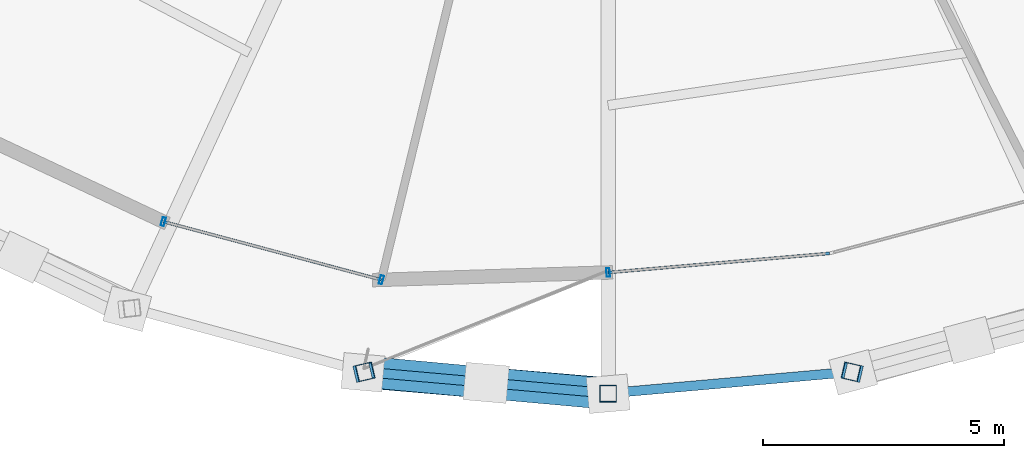
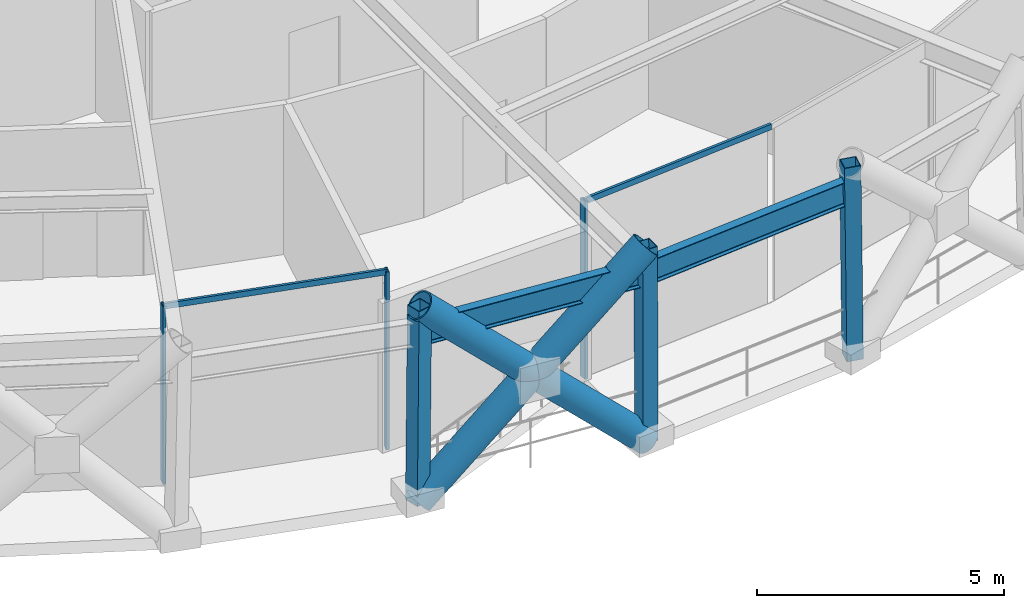
# One storey, part 4 of 29: 11 members, 2 beams, 2 elements without a shape of their own.
"""IFC4 building model written with IfcOpenShell, lengths in metres."""

from ifc_helpers import new_model, si_unit, direction, frame, origin, origin_2d, place, context, subcontext, project, spatial, hollow_rectangle, hollow_circle, i_section, extrude, material, layer, layer_set, material_profile, profile_set, type_object, element, aggregate, save


model = new_model("IFC4")

# Units and contexts
model_context = context("Model", 3, precision=1e-05, world=origin(), true_north=direction((0.0, 1.0)))
body_context = subcontext(model_context, "Body", "Model", "MODEL_VIEW")
ifc_project = project(units=[si_unit("LENGTHUNIT", "METRE"), si_unit("AREAUNIT", "SQUARE_METRE"), si_unit("VOLUMEUNIT", "CUBIC_METRE"), si_unit("PLANEANGLEUNIT", "RADIAN"), si_unit("MASSUNIT", "GRAM", prefix="KILO")], contexts=[model_context])

# Site, building, storey
site_placement = place(None, origin())
site = spatial("IfcSite", under=ifc_project, at=site_placement, CompositionType="ELEMENT")
building_placement = place(site_placement, origin())
building = spatial("IfcBuilding", under=site, at=building_placement, Name="Veldorina Hangang Commons", CompositionType="ELEMENT")
storey_placement = place(building_placement, frame((0.0, 0.0, 203.60009765625)))
storey = spatial("IfcBuildingStorey", under=building, at=storey_placement, Name="L53", CompositionType="ELEMENT", Elevation=203.60009765625)

# Beams
ifc_material_1 = material(Name="Steel SM420-TMC", Category="steel")
ifc_material_profile_1 = material_profile(ifc_material_1, i_section(OverallWidth=0.199951171875, OverallDepth=0.60009765625, WebThickness=0.010986328125, FlangeThickness=0.01708984375, FilletRadius=0.01806640625, at=origin_2d()), Name="H-600x200x11x17")
ifc_profile_set_1 = profile_set([ifc_material_profile_1], Name="Steel SM420-TMC")
beam_type = type_object("IfcBeamType", Name="BM-RB600", PredefinedType="BEAM", material=ifc_profile_set_1)
for number, where, z_axis, x_axis, name in (
    (1, (26.9501953125, 1.253173828125, 4.139892578125), (0.996125880523, -0.087938786397, 0.0), (0.087938786397, 0.996125880523, 0.0), "L53 perimeter hoop ring beam 23"),
    (2, (32.0, 0.807373046875, 4.139892578125), (0.996125880523, 0.087938786397, 0.0), (-0.087938786397, 0.996125880523, 0.0), "L53 perimeter hoop ring beam 24"),
):
    element("IfcBeam", number, at=place(storey_placement, frame(where, z_axis=z_axis, x_axis=x_axis)), inside=storey, type_object=beam_type, Name=name, PredefinedType="BEAM", context=body_context, shape_type="SweptSolid", body=[
        extrude(i_section(OverallWidth=0.199951171875, OverallDepth=0.60009765625, WebThickness=0.010986328125, FlangeThickness=0.01708984375, FilletRadius=0.01806640625, at=origin_2d()), origin(), (0.0, 0.0, 1.0), 5.0693359375),
    ])

# Curtain wall, members
ifc_material_2 = material(Name="Glass Acoustic Laminated", Category="glass")
ifc_layer = layer(ifc_material_2, 0.179931640625)
ifc_layer_set = layer_set([ifc_layer], Name="Glass Acoustic Laminated")
curtain_wall_type = type_object("IfcCurtainWallType", Name="CW-SYS-SKY", PredefinedType="NOTDEFINED", material=ifc_layer_set)
curtain_wall_1_placement = place(storey_placement, origin())
curtain_wall_1 = element("IfcCurtainWall", 3, at=curtain_wall_1_placement, inside=storey, type_object=curtain_wall_type, Name="L53 unitised curtain wall CW-L53-R10", PredefinedType="NOTDEFINED")
ifc_material_3 = material(Name="Aluminium Anodized AA6063-T6", Category="aluminium")
ifc_material_profile_2 = material_profile(ifc_material_3, hollow_rectangle(XDim=0.070068359375, YDim=0.179931640625, WallThickness=0.00390625, at=origin_2d()), Name="ALU-RHS-180x70x4")
ifc_profile_set_2 = profile_set([ifc_material_profile_2], Name="Aluminium Anodized AA6063-T6")
member_type_1 = type_object("IfcMemberType", Name="CW-MUL-180", PredefinedType="MULLION", material=ifc_profile_set_2)
member_1_placement = place(storey_placement, frame((22.759765625, 4.3740234375, 0.0), z_axis=(0.0, 0.0, 1.0), x_axis=(0.966187331518, -0.257841114671, 0.0)))
member_1 = element("IfcMember", 4, at=member_1_placement, type_object=member_type_1, Name="CW-L53-R10 vertical mullion 1", PredefinedType="MULLION", context=body_context, shape_type="SweptSolid", body=[
    extrude(hollow_rectangle(XDim=0.070068359375, YDim=0.179931640625, WallThickness=0.00390625, at=origin_2d()), origin(), (0.0, 0.0, 1.0), 4.39990234375),
])
member_2_placement = place(storey_placement, frame((27.289306640625, 3.165283203125, 0.0), z_axis=(0.0, 0.0, 1.0), x_axis=(-0.966187331518, 0.257841114671, 0.0)))
member_2 = element("IfcMember", 5, at=member_2_placement, type_object=member_type_1, Name="CW-L53-R10 vertical mullion 2", PredefinedType="MULLION", context=body_context, shape_type="SweptSolid", body=[
    extrude(hollow_rectangle(XDim=0.070068359375, YDim=0.179931640625, WallThickness=0.00390625, at=origin_2d()), origin(), (0.0, 0.0, 1.0), 4.39990234375),
])

# Curtain wall, member
curtain_wall_2_placement = place(storey_placement, origin())
curtain_wall_2 = element("IfcCurtainWall", 6, at=curtain_wall_2_placement, inside=storey, type_object=curtain_wall_type, Name="L53 unitised curtain wall CW-L53-R11", PredefinedType="NOTDEFINED")
member_3_placement = place(storey_placement, frame((32.0, 3.31689453125, 0.0), z_axis=(0.0, 0.0, 1.0), x_axis=(0.996291430488, 0.086042928448, 0.0)))
member_3 = element("IfcMember", 7, at=member_3_placement, type_object=member_type_1, Name="CW-L53-R11 vertical mullion 1", PredefinedType="MULLION", context=body_context, shape_type="SweptSolid", body=[
    extrude(hollow_rectangle(XDim=0.070068359375, YDim=0.179931640625, WallThickness=0.00390625, at=origin_2d()), origin(), (0.0, 0.0, 1.0), 4.39990234375),
])

# Member
ifc_material_profile_3 = material_profile(ifc_material_3, hollow_rectangle(XDim=0.06005859375, YDim=0.139892578125, WallThickness=0.00341796875, at=origin_2d()), Name="ALU-RHS-140x60x3.5")
ifc_profile_set_3 = profile_set([ifc_material_profile_3], Name="Aluminium Anodized AA6063-T6")
member_type_2 = type_object("IfcMemberType", Name="CW-TRN-140", PredefinedType="USERDEFINED", material=ifc_profile_set_3)
member_4_placement = place(storey_placement, frame((22.759765625, 4.3740234375, 4.35986328125), z_axis=(0.966189113642, -0.257834436568, 0.0), x_axis=(0.257834436568, 0.966189113642, 0.0)))
member_4 = element("IfcMember", 8, at=member_4_placement, type_object=member_type_2, Name="CW-L53-R10 facet 1 transom 1", ObjectType="TRANSOM", PredefinedType="USERDEFINED", context=body_context, shape_type="SweptSolid", body=[
    extrude(hollow_rectangle(XDim=0.06005859375, YDim=0.139892578125, WallThickness=0.00341796875, at=origin_2d()), origin(), (0.0, 0.0, 1.0), 4.68798828125),
])

aggregate(curtain_wall_1, [member_1, member_2, member_4])

member_5_placement = place(storey_placement, frame((32.0, 3.31689453125, 4.35986328125), z_axis=(0.996290014089, 0.08605932737, 0.0), x_axis=(-0.08605932737, 0.996290014089, 0.0)))
member_5 = element("IfcMember", 9, at=member_5_placement, type_object=member_type_2, Name="CW-L53-R11 facet 1 transom 1", ObjectType="TRANSOM", PredefinedType="USERDEFINED", context=body_context, shape_type="SweptSolid", body=[
    extrude(hollow_rectangle(XDim=0.06005859375, YDim=0.139892578125, WallThickness=0.00341796875, at=origin_2d()), origin(), (0.0, 0.0, 1.0), 4.618408203125),
])

aggregate(curtain_wall_2, [member_3, member_5])

# Members
ifc_material_4 = material(Name="Steel SM460-TMC", Category="steel")
ifc_material_profile_4 = material_profile(ifc_material_4, hollow_circle(Radius=0.324951171875, WallThickness=0.031982421875, at=origin_2d()), Name="CHS-650x32")
ifc_profile_set_4 = profile_set([ifc_material_profile_4], Name="Steel SM460-TMC")
member_type_3 = type_object("IfcMemberType", Name="DG-CHS650", PredefinedType="BRACE", material=ifc_profile_set_4)
member_6_placement = place(storey_placement, frame((26.906982421875, 1.242919921875, 0.0), z_axis=(0.726350783898, -0.061872649585, 0.684533647065), x_axis=(0.084875500207, 0.996391564328, 0.0)))
element("IfcMember", 10, at=member_6_placement, inside=storey, type_object=member_type_3, Name="L53 continuous perimeter diagrid brace 23", PredefinedType="BRACE", context=body_context, shape_type="SweptSolid", body=[
    extrude(hollow_circle(Radius=0.324951171875, WallThickness=0.031982421875, at=origin_2d()), origin(), (0.0, 0.0, 1.0), 7.01171875),
])
member_7_placement = place(storey_placement, frame((32.0, 0.797119140625, 0.0), z_axis=(-0.722842725893, 0.064978539672, 0.687950712628), x_axis=(-0.089532037633, -0.995983942761, 0.0)))
element("IfcMember", 11, at=member_7_placement, inside=storey, type_object=member_type_3, Name="L53 split perimeter diagrid lower brace 24", PredefinedType="BRACE", context=body_context, shape_type="SweptSolid", body=[
    extrude(hollow_circle(Radius=0.324951171875, WallThickness=0.031982421875, at=origin_2d()), origin(), (0.0, 0.0, 1.0), 3.505615234375),
])
member_8_placement = place(storey_placement, frame((29.466064453125, 1.02490234375, 2.41162109375), z_axis=(-0.72274784609, 0.066177456765, 0.687936112723), x_axis=(-0.091182251877, -0.995834221617, 0.0)))
element("IfcMember", 12, at=member_8_placement, inside=storey, type_object=member_type_3, Name="L53 split perimeter diagrid upper brace 24", PredefinedType="BRACE", context=body_context, shape_type="SweptSolid", body=[
    extrude(hollow_circle(Radius=0.324951171875, WallThickness=0.031982421875, at=origin_2d()), origin(), (0.0, 0.0, 1.0), 3.471435546875),
])
ifc_material_5 = material(Name="Steel SM355-TMC", Category="steel")
ifc_material_profile_5 = material_profile(ifc_material_5, hollow_rectangle(XDim=0.35009765625, YDim=0.35009765625, WallThickness=0.01611328125, at=origin_2d()), Name="SHS-350x350x16")
ifc_profile_set_5 = profile_set([ifc_material_profile_5], Name="Steel SM355-TMC")
member_type_4 = type_object("IfcMemberType", Name="STR-SHS350", PredefinedType="STRUT", material=ifc_profile_set_5)
member_9_placement = place(storey_placement, frame((26.906982421875, 1.242919921875, 0.0), z_axis=(0.010426665586, 0.002441365601, 0.999942660545), x_axis=(-0.227980273435, 0.97366575113, 0.0)))
element("IfcMember", 13, at=member_9_placement, inside=storey, type_object=member_type_4, Name="L53 perimeter ring node post 23", PredefinedType="STRUT", context=body_context, shape_type="SweptSolid", body=[
    extrude(hollow_rectangle(XDim=0.35009765625, YDim=0.35009765625, WallThickness=0.01611328125, at=origin_2d()), origin(), (0.0, 0.0, 1.0), 4.800048828125),
])
member_10_placement = place(storey_placement, frame((32.0, 0.797119140625, 0.0), z_axis=(0.0, 0.002492362554, 0.99999689406), x_axis=(-1.0, 0.0, 0.0)))
element("IfcMember", 14, at=member_10_placement, inside=storey, type_object=member_type_4, Name="L53 perimeter ring node post 24", PredefinedType="STRUT", context=body_context, shape_type="SweptSolid", body=[
    extrude(hollow_rectangle(XDim=0.35009765625, YDim=0.35009765625, WallThickness=0.01611328125, at=origin_2d()), origin(), (0.0, 0.0, 1.0), 4.7998046875),
])
member_11_placement = place(storey_placement, frame((37.093017578125, 1.242919921875, 0.0), z_axis=(-0.010426665586, 0.002441365601, 0.999942660545), x_axis=(-0.227980273435, -0.97366575113, 0.0)))
element("IfcMember", 15, at=member_11_placement, inside=storey, type_object=member_type_4, Name="L53 perimeter ring node post 25", PredefinedType="STRUT", context=body_context, shape_type="SweptSolid", body=[
    extrude(hollow_rectangle(XDim=0.35009765625, YDim=0.35009765625, WallThickness=0.01611328125, at=origin_2d()), origin(), (0.0, 0.0, 1.0), 4.800048828125),
])

save(model, "model.ifc")
